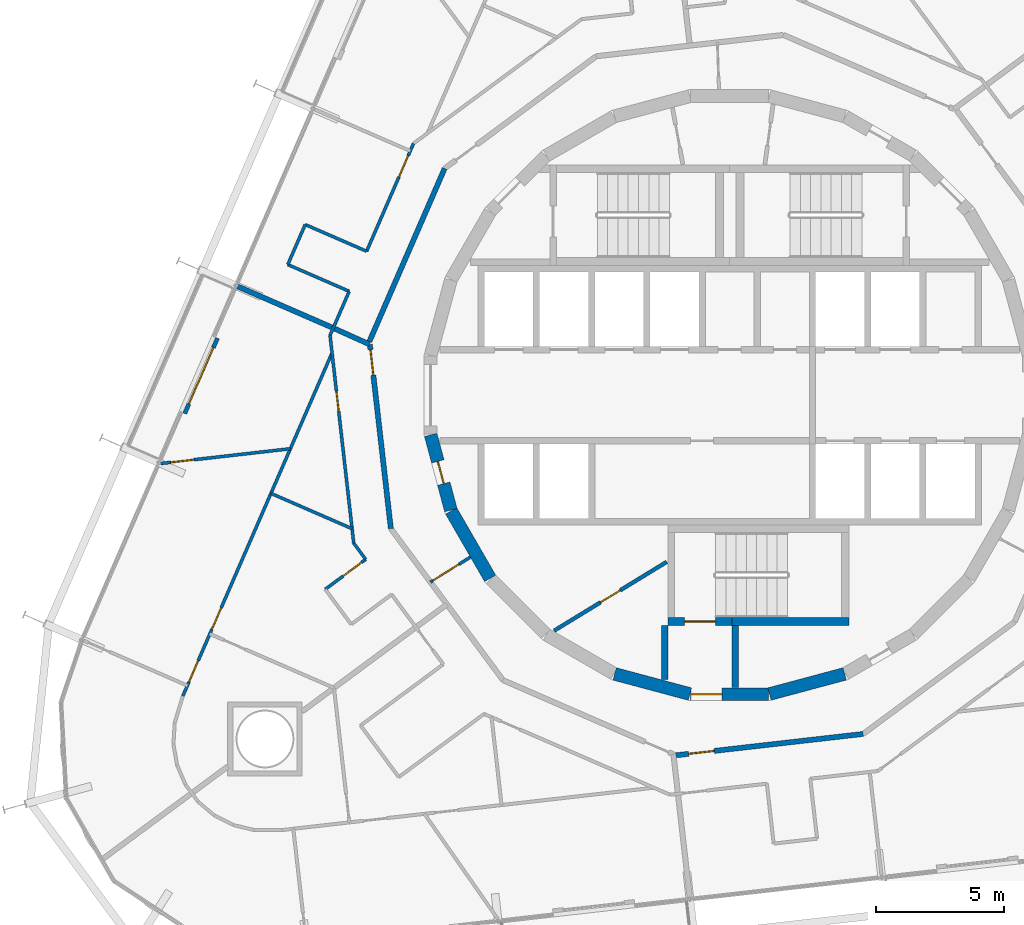
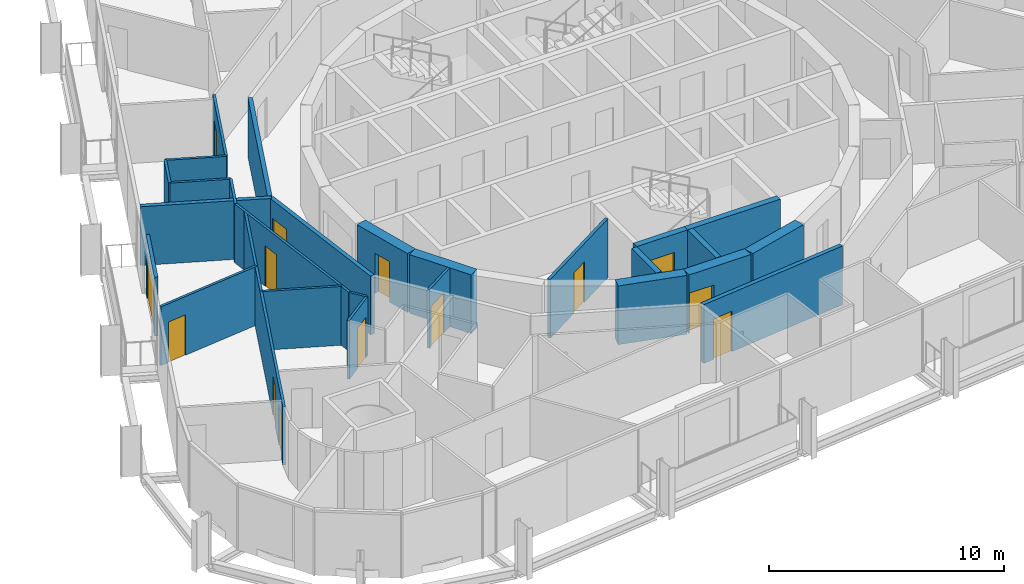
# One storey, part 17 of 23: 28 walls, 14 doors, 14 openings.
"""IFC4 building model written with IfcOpenShell, lengths in metres."""

from ifc_helpers import new_model, si_unit, direction, frame, frame_2d, origin, place, context, subcontext, project, spatial, rectangle, extrude, material, layer, layer_set, type_object, element, fill, save


model = new_model("IFC4")

# Units and contexts
model_context = context("Model", 3, precision=1e-05, world=origin(), true_north=direction((0.0, 1.0)))
body_context = subcontext(model_context, "Body", "Model", "MODEL_VIEW")
ifc_project = project(units=[si_unit("LENGTHUNIT", "METRE"), si_unit("AREAUNIT", "SQUARE_METRE"), si_unit("VOLUMEUNIT", "CUBIC_METRE"), si_unit("PLANEANGLEUNIT", "RADIAN"), si_unit("MASSUNIT", "GRAM", prefix="KILO")], contexts=[model_context])

# Site, building, storey
site_placement = place(None, origin())
site = spatial("IfcSite", under=ifc_project, at=site_placement, CompositionType="ELEMENT")
building_placement = place(site_placement, origin())
building = spatial("IfcBuilding", under=site, at=building_placement, Name="Spindle Arch Residences", CompositionType="ELEMENT")
storey_placement = place(building_placement, frame((0.0, 0.0, 104.699951171875)))
storey = spatial("IfcBuildingStorey", under=building, at=storey_placement, Name="L25", CompositionType="ELEMENT", Elevation=104.699951171875)

# Wall
ifc_material_1 = material(Name="Concrete C50/60", Category="concrete")
ifc_layer_1 = layer(ifc_material_1, 0.5)
ifc_layer_set_1 = layer_set([ifc_layer_1], Name="Core outline wall 500")
wall_type_1 = type_object("IfcWallType", Name="Core outline wall 500", PredefinedType="SHEAR", material=ifc_layer_set_1)
wall_1_placement = place(storey_placement, frame((1.5498046875, -11.642822265625, 0.0), z_axis=(0.0, 0.0, 1.0), x_axis=(0.965948410781, 0.258734743916, 0.0)))
element("IfcWall", 1, at=wall_1_placement, inside=storey, type_object=wall_type_1, Name="Core outline wall 1", PredefinedType="SHEAR", context=body_context, shape_type="SweptSolid", body=[
    extrude(rectangle(XDim=3.03271484375, YDim=0.5, at=frame_2d((1.516357421875, 0.0))), origin(), (0.0, 0.0, 1.0), 3.050048828125),
])

# Wall, opening, door
wall_2_placement = place(storey_placement, frame((-11.642822265625, -1.5498046875, 0.0), z_axis=(0.0, 0.0, 1.0), x_axis=(0.258734743916, -0.965948410781, 0.0)))
wall_2 = element("IfcWall", 2, at=wall_2_placement, inside=storey, type_object=wall_type_1, Name="Core outline wall 19", PredefinedType="SHEAR", context=body_context, shape_type="SweptSolid", body=[
    extrude(rectangle(XDim=3.03271484375, YDim=0.5, at=frame_2d((1.516357421875, 0.0))), origin(), (0.0, 0.0, 1.0), 3.050048828125),
])
opening_1_placement = place(wall_2_placement, frame((1.06640625, 0.0, 0.0)))
opening_1 = element("IfcOpeningElement", 3, at=opening_1_placement, cuts=wall_2, Name="Opening R2C0-WD09", PredefinedType="OPENING", context=body_context, shape_type="SweptSolid", body=[
    extrude(rectangle(XDim=0.89990234375, YDim=2.10009765625, at=frame_2d((0.449951171875, 1.050048828125))), frame((0.0, 0.260009765625, 0.0), z_axis=(0.0, -1.0, 0.0), x_axis=(1.0, 0.0, 0.0)), (0.0, 0.0, 1.0), 0.52001953125),
])
ifc_material_2 = material(Name="Steel, fire-resisting door", Category="steel")
door_type_1 = type_object("IfcDoorType", Name="Service room door 900x2100", OperationType="SINGLE_SWING_LEFT", PredefinedType="DOOR", material=ifc_material_2)
door_1_placement = place(opening_1_placement, origin())
door_1 = element("IfcDoor", 4, at=door_1_placement, inside=storey, type_object=door_type_1, Name="Service room door R2C0-WD09", OperationType="SINGLE_SWING_RIGHT", OverallHeight=2.10009765625, OverallWidth=0.89990234375, PredefinedType="DOOR", context=body_context, shape_type="SweptSolid", body=[
    extrude(rectangle(XDim=0.89990234375, YDim=2.10009765625, at=frame_2d((0.449951171875, 1.050048828125))), frame((0.0, 0.02490234375, 0.0), z_axis=(0.0, -1.0, 0.0), x_axis=(1.0, 0.0, 0.0)), (0.0, 0.0, 1.0), 0.050048828125),
])
fill(opening_1, door_1)

# Walls
for number, where, z_axis, x_axis, name in (
    (5, (-10.84521484375, -4.510498046875, 0.0), (0.0, 0.0, 1.0), (0.500087131594, -0.865975092491, 0.0), "Core outline wall 20"),
    (6, (-4.479248046875, -10.858154296875, 0.0), (0.0, 0.0, 1.0), (0.965948410781, -0.258734743916, 0.0), "Core outline wall 23"),
):
    element("IfcWall", number, at=place(storey_placement, frame(where, z_axis=z_axis, x_axis=x_axis)), inside=storey, type_object=wall_type_1, Name=name, PredefinedType="SHEAR", context=body_context, shape_type="SweptSolid", body=[
        extrude(rectangle(XDim=3.03271484375, YDim=0.5, at=frame_2d((1.516357421875, 0.0))), origin(), (0.0, 0.0, 1.0), 3.050048828125),
    ])

# Wall, opening, door
wall_3_placement = place(storey_placement, frame((-1.516357421875, -11.647216796875, 0.0), z_axis=(0.0, 0.0, 1.0), x_axis=(1.0, 0.0, 0.0)))
wall_3 = element("IfcWall", 7, at=wall_3_placement, inside=storey, type_object=wall_type_1, Name="Core outline wall 24", PredefinedType="SHEAR", context=body_context, shape_type="SweptSolid", body=[
    extrude(rectangle(XDim=3.03271484375, YDim=0.5, at=frame_2d((1.516357421875, 0.0))), origin(), (0.0, 0.0, 1.0), 3.050048828125),
])
opening_2_placement = place(wall_3_placement, frame((0.016357421875, 0.0, 0.0)))
opening_2 = element("IfcOpeningElement", 8, at=opening_2_placement, cuts=wall_3, Name="Opening R2C0-AD03", PredefinedType="OPENING", context=body_context, shape_type="SweptSolid", body=[
    extrude(rectangle(XDim=1.199951171875, YDim=2.10009765625, at=frame_2d((0.60009765625, 1.050048828125))), frame((0.0, 0.260009765625, 0.0), z_axis=(0.0, -1.0, 0.0), x_axis=(1.0, 0.0, 0.0)), (0.0, 0.0, 1.0), 0.52001953125),
])
ifc_material_3 = material(Name="Steel, fire-resisting door", Category="steel")
door_type_2 = type_object("IfcDoorType", Name="Stair airlock door 1200x2100", OperationType="SINGLE_SWING_LEFT", PredefinedType="DOOR", material=ifc_material_3)
door_2_placement = place(opening_2_placement, origin())
door_2 = element("IfcDoor", 9, at=door_2_placement, inside=storey, type_object=door_type_2, Name="Stair airlock door R2C0-AD03", OperationType="SINGLE_SWING_RIGHT", OverallHeight=2.10009765625, OverallWidth=1.199951171875, PredefinedType="DOOR", context=body_context, shape_type="SweptSolid", body=[
    extrude(rectangle(XDim=1.199951171875, YDim=2.10009765625, at=frame_2d((0.60009765625, 1.050048828125))), frame((0.0, 0.02490234375, 0.0), z_axis=(0.0, -1.0, 0.0), x_axis=(1.0, 0.0, 0.0)), (0.0, 0.0, 1.0), 0.050048828125),
])
fill(opening_2, door_2)

ifc_material_4 = material(Name="Plasterboard on steel studs", Category="steel")
ifc_layer_2 = layer(ifc_material_4, 0.1201171875)
ifc_layer_set_2 = layer_set([ifc_layer_2], Name="Corridor division wall 120")
wall_type_2 = type_object("IfcWallType", Name="Corridor division wall 120", PredefinedType="PARTITIONING", material=ifc_layer_set_2)
wall_4_placement = place(storey_placement, frame((-11.654296875, -7.2822265625, 0.0), z_axis=(0.0, 0.0, 1.0), x_axis=(0.848117698675, 0.529807860638, 0.0)))
wall_4 = element("IfcWall", 10, at=wall_4_placement, inside=storey, type_object=wall_type_2, Name="Corridor division wall R2C0-W003", PredefinedType="PARTITIONING", context=body_context, shape_type="SweptSolid", body=[
    extrude(rectangle(XDim=1.837646484375, YDim=0.1201171875, at=frame_2d((0.9189453125, 0.0))), origin(), (0.0, 0.0, 1.0), 3.050048828125),
])
opening_3_placement = place(wall_4_placement, frame((0.114990234375, 0.0, 0.0)))
opening_3 = element("IfcOpeningElement", 11, at=opening_3_placement, cuts=wall_4, Name="Opening R2C0-CD03", PredefinedType="OPENING", context=body_context, shape_type="SweptSolid", body=[
    extrude(rectangle(XDim=1.199951171875, YDim=2.10009765625, at=frame_2d((0.60009765625, 1.050048828125))), frame((0.0, 0.070068359375, 0.0), z_axis=(0.0, -1.0, 0.0), x_axis=(1.0, 0.0, 0.0)), (0.0, 0.0, 1.0), 0.14013671875),
])
ifc_material_5 = material(Name="Steel, fire-resisting door", Category="steel")
door_type_3 = type_object("IfcDoorType", Name="Corridor division door 1200x2100", OperationType="NOTDEFINED", PredefinedType="DOOR", material=ifc_material_5)
door_3_placement = place(opening_3_placement, origin())
door_3 = element("IfcDoor", 12, at=door_3_placement, inside=storey, type_object=door_type_3, Name="Corridor division door R2C0-CD03", OperationType="DOUBLE_DOOR_SINGLE_SWING", OverallHeight=2.10009765625, OverallWidth=1.199951171875, PredefinedType="DOOR", context=body_context, shape_type="SweptSolid", body=[
    extrude(rectangle(XDim=1.199951171875, YDim=2.10009765625, at=frame_2d((0.60009765625, 1.050048828125))), frame((0.0, 0.02490234375, 0.0), z_axis=(0.0, -1.0, 0.0), x_axis=(1.0, 0.0, 0.0)), (0.0, 0.0, 1.0), 0.050048828125),
])
fill(opening_3, door_3)

# Wall
ifc_material_6 = material(Name="Calcium silicate block, plastered")
ifc_layer_3 = layer(ifc_material_6, 0.199951171875)
ifc_layer_set_3 = layer_set([ifc_layer_3], Name="Corridor wall 200")
wall_type_3 = type_object("IfcWallType", Name="Corridor wall 200", PredefinedType="STANDARD", material=ifc_layer_set_3)
wall_5_placement = place(storey_placement, frame((-11.10009765625, 8.829345703125, 0.0), z_axis=(0.0, 0.0, 1.0), x_axis=(-0.398741918631, -0.917063183388, 0.0)))
element("IfcWall", 13, at=wall_5_placement, inside=storey, type_object=wall_type_3, Name="Corridor wall R2C0-W010", PredefinedType="STANDARD", context=body_context, shape_type="SweptSolid", body=[
    extrude(rectangle(XDim=7.341796875, YDim=0.199951171875, at=frame_2d((3.6708984375, 0.0))), origin(), (0.0, 0.0, 1.0), 3.050048828125),
])

# Wall, opening, door
wall_6_placement = place(storey_placement, frame((-14.013427734375, 1.97412109375, 0.0), z_axis=(0.0, 0.0, 1.0), x_axis=(0.113196526349, -0.993572617589, 0.0)))
wall_6 = element("IfcWall", 14, at=wall_6_placement, inside=storey, type_object=wall_type_3, Name="Corridor wall R2C0-W011", PredefinedType="STANDARD", context=body_context, shape_type="SweptSolid", body=[
    extrude(rectangle(XDim=7.21875, YDim=0.199951171875, at=frame_2d((3.609375, 0.0))), origin(), (0.0, 0.0, 1.0), 3.050048828125),
])
opening_4_placement = place(wall_6_placement, frame((0.199951171875, 0.0, 0.0)))
opening_4 = element("IfcOpeningElement", 15, at=opening_4_placement, cuts=wall_6, Name="Opening R2C0-FD04", PredefinedType="OPENING", context=body_context, shape_type="SweptSolid", body=[
    extrude(rectangle(XDim=1.0, YDim=2.10009765625, at=frame_2d((0.5, 1.050048828125))), frame((0.0, 0.10986328125, 0.0), z_axis=(0.0, -1.0, 0.0), x_axis=(1.0, 0.0, 0.0)), (0.0, 0.0, 1.0), 0.219970703125),
])
ifc_material_7 = material(Name="Timber, fire-resisting door set", Category="wood")
door_type_4 = type_object("IfcDoorType", Name="Flat entrance door 1000x2100", OperationType="NOTDEFINED", PredefinedType="DOOR", material=ifc_material_7)
door_4_placement = place(opening_4_placement, origin())
door_4 = element("IfcDoor", 16, at=door_4_placement, inside=storey, type_object=door_type_4, Name="Flat entrance door R2C0-FD04", OperationType="SINGLE_SWING_RIGHT", OverallHeight=2.10009765625, OverallWidth=1.0, PredefinedType="DOOR", context=body_context, shape_type="SweptSolid", body=[
    extrude(rectangle(XDim=1.0, YDim=2.10009765625, at=frame_2d((0.5, 1.050048828125))), frame((0.0, 0.02490234375, 0.0), z_axis=(0.0, -1.0, 0.0), x_axis=(1.0, 0.0, 0.0)), (0.0, 0.0, 1.0), 0.050048828125),
])
fill(opening_4, door_4)

wall_7_placement = place(storey_placement, frame((-2.096435546875, -14.027587890625, 0.0), z_axis=(0.0, 0.0, 1.0), x_axis=(0.993569170114, 0.113226782163, 0.0)))
wall_7 = element("IfcWall", 17, at=wall_7_placement, inside=storey, type_object=wall_type_3, Name="Corridor wall R2C0-W014", PredefinedType="STANDARD", context=body_context, shape_type="SweptSolid", body=[
    extrude(rectangle(XDim=7.341796875, YDim=0.199951171875, at=frame_2d((3.6708984375, 0.0))), origin(), (0.0, 0.0, 1.0), 3.050048828125),
])
opening_5_placement = place(wall_7_placement, frame((0.5, 0.0, 0.0)))
opening_5 = element("IfcOpeningElement", 18, at=opening_5_placement, cuts=wall_7, Name="Opening R2C0-FD06", PredefinedType="OPENING", context=body_context, shape_type="SweptSolid", body=[
    extrude(rectangle(XDim=1.0, YDim=2.10009765625, at=frame_2d((0.5, 1.050048828125))), frame((0.0, 0.10986328125, 0.0), z_axis=(0.0, -1.0, 0.0), x_axis=(1.0, 0.0, 0.0)), (0.0, 0.0, 1.0), 0.219970703125),
])
door_5_placement = place(opening_5_placement, origin())
door_5 = element("IfcDoor", 19, at=door_5_placement, inside=storey, type_object=door_type_4, Name="Flat entrance door R2C0-FD06", OperationType="SINGLE_SWING_LEFT", OverallHeight=2.10009765625, OverallWidth=1.0, PredefinedType="DOOR", context=body_context, shape_type="SweptSolid", body=[
    extrude(rectangle(XDim=1.0, YDim=2.10009765625, at=frame_2d((0.5, 1.050048828125))), frame((0.0, 0.02490234375, 0.0), z_axis=(0.0, -1.0, 0.0), x_axis=(1.0, 0.0, 0.0)), (0.0, 0.0, 1.0), 0.050048828125),
])
fill(opening_5, door_5)

ifc_material_8 = material(Name="Plasterboard on steel studs", Category="steel")
ifc_layer_4 = layer(ifc_material_8, 0.1201171875)
ifc_layer_set_4 = layer_set([ifc_layer_4], Name="Flat partition 120")
wall_type_4 = type_object("IfcWallType", Name="Flat partition 120", PredefinedType="PARTITIONING", material=ifc_layer_set_4)
wall_8_placement = place(storey_placement, frame((-12.315185546875, 9.7958984375, 0.0), z_axis=(0.0, 0.0, 1.0), x_axis=(-0.398765150511, -0.917053081745, 0.0)))
wall_8 = element("IfcWall", 20, at=wall_8_placement, inside=storey, type_object=wall_type_4, Name="Flat partition R2C0-W070", PredefinedType="PARTITIONING", context=body_context, shape_type="SweptSolid", body=[
    extrude(rectangle(XDim=4.573486328125, YDim=0.1201171875, at=frame_2d((2.28662109375, 0.0))), origin(), (0.0, 0.0, 1.0), 3.050048828125),
])
opening_6_placement = place(wall_8_placement, frame((0.513427734375, 0.0, 0.0)))
opening_6 = element("IfcOpeningElement", 21, at=opening_6_placement, cuts=wall_8, Name="Opening R2C0-ID17", PredefinedType="OPENING", context=body_context, shape_type="SweptSolid", body=[
    extrude(rectangle(XDim=0.89990234375, YDim=2.10009765625, at=frame_2d((0.449951171875, 1.050048828125))), frame((0.0, 0.070068359375, 0.0), z_axis=(0.0, -1.0, 0.0), x_axis=(1.0, 0.0, 0.0)), (0.0, 0.0, 1.0), 0.14013671875),
])
ifc_material_9 = material(Name="Timber door set", Category="wood")
door_type_5 = type_object("IfcDoorType", Name="Room door 900x2100", OperationType="NOTDEFINED", PredefinedType="DOOR", material=ifc_material_9)
door_6_placement = place(opening_6_placement, origin())
door_6 = element("IfcDoor", 22, at=door_6_placement, inside=storey, type_object=door_type_5, Name="Room door R2C0-ID17", OperationType="SINGLE_SWING_LEFT", OverallHeight=2.10009765625, OverallWidth=0.89990234375, PredefinedType="DOOR", context=body_context, shape_type="SweptSolid", body=[
    extrude(rectangle(XDim=0.89990234375, YDim=2.10009765625, at=frame_2d((0.449951171875, 1.050048828125))), frame((0.0, 0.02490234375, 0.0), z_axis=(0.0, -1.0, 0.0), x_axis=(1.0, 0.0, 0.0)), (0.0, 0.0, 1.0), 0.050048828125),
])
fill(opening_6, door_6)

# Walls
wall_9_placement = place(storey_placement, frame((-14.138916015625, 5.601806640625, 0.0), z_axis=(0.0, 0.0, 1.0), x_axis=(-0.91706559301, 0.398736376716, 0.0)))
element("IfcWall", 23, at=wall_9_placement, inside=storey, type_object=wall_type_4, Name="Flat partition R2C0-W071", PredefinedType="PARTITIONING", context=body_context, shape_type="SweptSolid", body=[
    extrude(rectangle(XDim=2.60888671875, YDim=0.1201171875, at=frame_2d((1.304443359375, 0.0))), origin(), (0.0, 0.0, 1.0), 3.050048828125),
])
wall_10_placement = place(storey_placement, frame((-16.531494140625, 6.64208984375, 0.0), z_axis=(0.0, 0.0, 1.0), x_axis=(-0.398783871208, -0.917044941137, 0.0)))
element("IfcWall", 24, at=wall_10_placement, inside=storey, type_object=wall_type_4, Name="Flat partition R2C0-W072", PredefinedType="PARTITIONING", context=body_context, shape_type="SweptSolid", body=[
    extrude(rectangle(XDim=1.7001953125, YDim=0.1201171875, at=frame_2d((0.85009765625, 0.0))), origin(), (0.0, 0.0, 1.0), 3.050048828125),
])
wall_11_placement = place(storey_placement, frame((-17.20947265625, 5.0830078125, 0.0), z_axis=(0.0, 0.0, 1.0), x_axis=(0.91706559301, -0.398736376716, 0.0)))
element("IfcWall", 25, at=wall_11_placement, inside=storey, type_object=wall_type_4, Name="Flat partition R2C0-W073", PredefinedType="PARTITIONING", context=body_context, shape_type="SweptSolid", body=[
    extrude(rectangle(XDim=2.60888671875, YDim=0.1201171875, at=frame_2d((1.304443359375, 0.0))), origin(), (0.0, 0.0, 1.0), 3.050048828125),
])
wall_12_placement = place(storey_placement, frame((-14.81689453125, 4.042724609375, 0.0), z_axis=(0.0, 0.0, 1.0), x_axis=(-0.398683191722, -0.917088715795, 0.0)))
element("IfcWall", 26, at=wall_12_placement, inside=storey, type_object=wall_type_4, Name="Flat partition R2C0-W074", PredefinedType="PARTITIONING", context=body_context, shape_type="SweptSolid", body=[
    extrude(rectangle(XDim=1.8720703125, YDim=0.1201171875, at=frame_2d((0.93603515625, 0.0))), origin(), (0.0, 0.0, 1.0), 3.050048828125),
])

# Wall, opening, door
wall_13_placement = place(storey_placement, frame((-15.563232421875, 2.325927734375, 0.0), z_axis=(0.0, 0.0, 1.0), x_axis=(0.11320423706, -0.993571739087, 0.0)))
wall_13 = element("IfcWall", 27, at=wall_13_placement, inside=storey, type_object=wall_type_4, Name="Flat partition R2C0-W083", PredefinedType="PARTITIONING", context=body_context, shape_type="SweptSolid", body=[
    extrude(rectangle(XDim=8.1455078125, YDim=0.1201171875, at=frame_2d((4.07275390625, 0.0))), origin(), (0.0, 0.0, 1.0), 3.050048828125),
])
opening_7_placement = place(wall_13_placement, frame((2.18505859375, 0.0, 0.0)))
opening_7 = element("IfcOpeningElement", 28, at=opening_7_placement, cuts=wall_13, Name="Opening R2C0-BD04", PredefinedType="OPENING", context=body_context, shape_type="SweptSolid", body=[
    extrude(rectangle(XDim=0.800048828125, YDim=2.10009765625, at=frame_2d((0.39990234375, 1.050048828125))), frame((0.0, 0.070068359375, 0.0), z_axis=(0.0, -1.0, 0.0), x_axis=(1.0, 0.0, 0.0)), (0.0, 0.0, 1.0), 0.14013671875),
])
ifc_material_10 = material(Name="Timber door set", Category="wood")
door_type_6 = type_object("IfcDoorType", Name="Bathroom door 800x2100", OperationType="NOTDEFINED", PredefinedType="DOOR", material=ifc_material_10)
door_7_placement = place(opening_7_placement, origin())
door_7 = element("IfcDoor", 29, at=door_7_placement, inside=storey, type_object=door_type_6, Name="Bathroom door R2C0-BD04", OperationType="SINGLE_SWING_RIGHT", OverallHeight=2.10009765625, OverallWidth=0.800048828125, PredefinedType="DOOR", context=body_context, shape_type="SweptSolid", body=[
    extrude(rectangle(XDim=0.800048828125, YDim=2.10009765625, at=frame_2d((0.39990234375, 1.050048828125))), frame((0.0, 0.02490234375, 0.0), z_axis=(0.0, -1.0, 0.0), x_axis=(1.0, 0.0, 0.0)), (0.0, 0.0, 1.0), 0.050048828125),
])
fill(opening_7, door_7)

# Wall
wall_14_placement = place(storey_placement, frame((-14.64111328125, -5.767333984375, 0.0), z_axis=(0.0, 0.0, 1.0), x_axis=(0.594601337861, -0.804020676982, 0.0)))
element("IfcWall", 30, at=wall_14_placement, inside=storey, type_object=wall_type_4, Name="Flat partition R2C0-W084", PredefinedType="PARTITIONING", context=body_context, shape_type="SweptSolid", body=[
    extrude(rectangle(XDim=0.783447265625, YDim=0.1201171875, at=frame_2d((0.3916015625, 0.0))), origin(), (0.0, 0.0, 1.0), 3.050048828125),
])

# Wall, opening, door
wall_15_placement = place(storey_placement, frame((-14.17529296875, -6.397216796875, 0.0), z_axis=(0.0, 0.0, 1.0), x_axis=(-0.803901491033, -0.594762467474, 0.0)))
wall_15 = element("IfcWall", 31, at=wall_15_placement, inside=storey, type_object=wall_type_4, Name="Flat partition R2C0-W085", PredefinedType="PARTITIONING", context=body_context, shape_type="SweptSolid", body=[
    extrude(rectangle(XDim=1.958740234375, YDim=0.1201171875, at=frame_2d((0.9794921875, 0.0))), origin(), (0.0, 0.0, 1.0), 3.050048828125),
])
opening_8_placement = place(wall_15_placement, frame((0.199951171875, 0.0, 0.0)))
opening_8 = element("IfcOpeningElement", 32, at=opening_8_placement, cuts=wall_15, Name="Opening R2C0-ID21", PredefinedType="OPENING", context=body_context, shape_type="SweptSolid", body=[
    extrude(rectangle(XDim=0.89990234375, YDim=2.10009765625, at=frame_2d((0.449951171875, 1.050048828125))), frame((0.0, 0.070068359375, 0.0), z_axis=(0.0, -1.0, 0.0), x_axis=(1.0, 0.0, 0.0)), (0.0, 0.0, 1.0), 0.14013671875),
])
door_8_placement = place(opening_8_placement, origin())
door_8 = element("IfcDoor", 33, at=door_8_placement, inside=storey, type_object=door_type_5, Name="Room door R2C0-ID21", OperationType="SINGLE_SWING_RIGHT", OverallHeight=2.10009765625, OverallWidth=0.89990234375, PredefinedType="DOOR", context=body_context, shape_type="SweptSolid", body=[
    extrude(rectangle(XDim=0.89990234375, YDim=2.10009765625, at=frame_2d((0.449951171875, 1.050048828125))), frame((0.0, 0.02490234375, 0.0), z_axis=(0.0, -1.0, 0.0), x_axis=(1.0, 0.0, 0.0)), (0.0, 0.0, 1.0), 0.050048828125),
])
fill(opening_8, door_8)

# Wall, openings, doors
wall_16_placement = place(storey_placement, frame((-21.298095703125, -11.72216796875, 0.0), z_axis=(0.0, 0.0, 1.0), x_axis=(0.398738972546, 0.91706446435, 0.0)))
wall_16 = element("IfcWall", 34, at=wall_16_placement, inside=storey, type_object=wall_type_4, Name="Flat partition R2C0-W089", PredefinedType="PARTITIONING", context=body_context, shape_type="SweptSolid", body=[
    extrude(rectangle(XDim=14.57666015625, YDim=0.1201171875, at=frame_2d((7.288330078125, 0.0))), origin(), (0.0, 0.0, 1.0), 3.050048828125),
])
opening_9_placement = place(wall_16_placement, frame((2.8408203125, 0.0, 0.0)))
opening_9 = element("IfcOpeningElement", 35, at=opening_9_placement, cuts=wall_16, Name="Opening R2C0-ID22", PredefinedType="OPENING", context=body_context, shape_type="SweptSolid", body=[
    extrude(rectangle(XDim=0.89990234375, YDim=2.10009765625, at=frame_2d((0.449951171875, 1.050048828125))), frame((0.0, 0.070068359375, 0.0), z_axis=(0.0, -1.0, 0.0), x_axis=(1.0, 0.0, 0.0)), (0.0, 0.0, 1.0), 0.14013671875),
])
opening_10_placement = place(wall_16_placement, frame((0.60546875, 0.0, 0.0)))
opening_10 = element("IfcOpeningElement", 36, at=opening_10_placement, cuts=wall_16, Name="Opening R2C0-ID26", PredefinedType="OPENING", context=body_context, shape_type="SweptSolid", body=[
    extrude(rectangle(XDim=0.89990234375, YDim=2.10009765625, at=frame_2d((0.449951171875, 1.050048828125))), frame((0.0, 0.070068359375, 0.0), z_axis=(0.0, -1.0, 0.0), x_axis=(1.0, 0.0, 0.0)), (0.0, 0.0, 1.0), 0.14013671875),
])
door_9_placement = place(opening_9_placement, origin())
door_9 = element("IfcDoor", 37, at=door_9_placement, inside=storey, type_object=door_type_5, Name="Room door R2C0-ID22", OperationType="SINGLE_SWING_RIGHT", OverallHeight=2.10009765625, OverallWidth=0.89990234375, PredefinedType="DOOR", context=body_context, shape_type="SweptSolid", body=[
    extrude(rectangle(XDim=0.89990234375, YDim=2.10009765625, at=frame_2d((0.449951171875, 1.050048828125))), frame((0.0, 0.02490234375, 0.0), z_axis=(0.0, -1.0, 0.0), x_axis=(1.0, 0.0, 0.0)), (0.0, 0.0, 1.0), 0.050048828125),
])
fill(opening_9, door_9)
door_10_placement = place(opening_10_placement, origin())
door_10 = element("IfcDoor", 38, at=door_10_placement, inside=storey, type_object=door_type_5, Name="Room door R2C0-ID26", OperationType="SINGLE_SWING_LEFT", OverallHeight=2.10009765625, OverallWidth=0.89990234375, PredefinedType="DOOR", context=body_context, shape_type="SweptSolid", body=[
    extrude(rectangle(XDim=0.89990234375, YDim=2.10009765625, at=frame_2d((0.449951171875, 1.050048828125))), frame((0.0, 0.02490234375, 0.0), z_axis=(0.0, -1.0, 0.0), x_axis=(1.0, 0.0, 0.0)), (0.0, 0.0, 1.0), 0.050048828125),
])
fill(opening_10, door_10)

# Wall, opening, door
wall_17_placement = place(storey_placement, frame((-22.157470703125, -2.663818359375, 0.0), z_axis=(0.0, 0.0, 1.0), x_axis=(0.993571026426, 0.113210491767, 0.0)))
wall_17 = element("IfcWall", 39, at=wall_17_placement, inside=storey, type_object=wall_type_4, Name="Flat partition R2C0-W090", PredefinedType="PARTITIONING", context=body_context, shape_type="SweptSolid", body=[
    extrude(rectangle(XDim=5.080810546875, YDim=0.1201171875, at=frame_2d((2.54052734375, 0.0))), origin(), (0.0, 0.0, 1.0), 3.050048828125),
])
opening_11_placement = place(wall_17_placement, frame((0.39990234375, 0.0, 0.0)))
opening_11 = element("IfcOpeningElement", 40, at=opening_11_placement, cuts=wall_17, Name="Opening R2C0-ID24", PredefinedType="OPENING", context=body_context, shape_type="SweptSolid", body=[
    extrude(rectangle(XDim=0.89990234375, YDim=2.10009765625, at=frame_2d((0.449951171875, 1.050048828125))), frame((0.0, 0.070068359375, 0.0), z_axis=(0.0, -1.0, 0.0), x_axis=(1.0, 0.0, 0.0)), (0.0, 0.0, 1.0), 0.14013671875),
])
door_11_placement = place(opening_11_placement, origin())
door_11 = element("IfcDoor", 41, at=door_11_placement, inside=storey, type_object=door_type_5, Name="Room door R2C0-ID24", OperationType="SINGLE_SWING_LEFT", OverallHeight=2.10009765625, OverallWidth=0.89990234375, PredefinedType="DOOR", context=body_context, shape_type="SweptSolid", body=[
    extrude(rectangle(XDim=0.89990234375, YDim=2.10009765625, at=frame_2d((0.449951171875, 1.050048828125))), frame((0.0, 0.02490234375, 0.0), z_axis=(0.0, -1.0, 0.0), x_axis=(1.0, 0.0, 0.0)), (0.0, 0.0, 1.0), 0.050048828125),
])
fill(opening_11, door_11)

# Walls
wall_18_placement = place(storey_placement, frame((-17.865478515625, -3.827392578125, 0.0), z_axis=(0.0, 0.0, 1.0), x_axis=(0.917043017742, -0.398788294224, 0.0)))
element("IfcWall", 42, at=wall_18_placement, inside=storey, type_object=wall_type_4, Name="Flat partition R2C0-W091", PredefinedType="PARTITIONING", context=body_context, shape_type="SweptSolid", body=[
    extrude(rectangle(XDim=3.445556640625, YDim=0.1201171875, at=frame_2d((1.72265625, 0.0))), origin(), (0.0, 0.0, 1.0), 3.050048828125),
])
ifc_material_11 = material(Name="Calcium silicate block, plastered")
ifc_layer_5 = layer(ifc_material_11, 0.199951171875)
ifc_layer_set_5 = layer_set([ifc_layer_5], Name="Flat party wall 200")
wall_type_5 = type_object("IfcWallType", Name="Flat party wall 200", PredefinedType="STANDARD", material=ifc_layer_set_5)
wall_19_placement = place(storey_placement, frame((-15.47509765625, 2.62939453125, 0.0), z_axis=(0.0, 0.0, 1.0), x_axis=(0.911720699372, -0.410810621011, 0.0)))
element("IfcWall", 43, at=wall_19_placement, inside=storey, type_object=wall_type_5, Name="Flat party wall R2C0-W024", PredefinedType="STANDARD", context=body_context, shape_type="SweptSolid", body=[
    extrude(rectangle(XDim=1.59326171875, YDim=0.199951171875, at=frame_2d((0.796630859375, 0.0))), origin(), (0.0, 0.0, 1.0), 3.050048828125),
])
wall_20_placement = place(storey_placement, frame((-19.1591796875, 4.231201171875, 0.0), z_axis=(0.0, 0.0, 1.0), x_axis=(0.917067157668, -0.398732778095, 0.0)))
element("IfcWall", 44, at=wall_20_placement, inside=storey, type_object=wall_type_5, Name="Flat party wall R2C0-W025", PredefinedType="STANDARD", context=body_context, shape_type="SweptSolid", body=[
    extrude(rectangle(XDim=4.017333984375, YDim=0.199951171875, at=frame_2d((2.0087890625, 0.0))), origin(), (0.0, 0.0, 1.0), 3.050048828125),
])

# Wall, opening, door
ifc_material_12 = material(Name="Non-combustible mineral wool insulated aluminium faced external wall (K0)", Category="aluminium")
ifc_layer_6 = layer(ifc_material_12, 0.159912109375)
ifc_layer_set_6 = layer_set([ifc_layer_6], Name="Insulated external wall panel 160")
wall_type_6 = type_object("IfcWallType", Name="Insulated external wall panel 160", PredefinedType="STANDARD", material=ifc_layer_set_6)
wall_21_placement = place(storey_placement, frame((-19.947021484375, 2.218994140625, 0.0), z_axis=(0.0, 0.0, 1.0), x_axis=(-0.398784695066, -0.917044582876, 0.0)))
wall_21 = element("IfcWall", 45, at=wall_21_placement, inside=storey, type_object=wall_type_6, Name="External wall L25 bay 17", PredefinedType="STANDARD", context=body_context, shape_type="SweptSolid", body=[
    extrude(rectangle(XDim=3.199951171875, YDim=0.159912109375, at=frame_2d((1.60009765625, 0.0))), origin(), (0.0, 0.0, 1.0), 3.050048828125),
])
opening_12_placement = place(wall_21_placement, frame((0.39990234375, 0.0, 0.0)))
opening_12 = element("IfcOpeningElement", 46, at=opening_12_placement, cuts=wall_21, Name="Opening BD17", PredefinedType="OPENING", context=body_context, shape_type="SweptSolid", body=[
    extrude(rectangle(XDim=2.39990234375, YDim=2.39990234375, at=frame_2d((1.199951171875, 1.199951171875))), frame((0.0, 0.08984375, 0.0), z_axis=(0.0, -1.0, 0.0), x_axis=(1.0, 0.0, 0.0)), (0.0, 0.0, 1.0), 0.179931640625),
])
ifc_material_13 = material(Name="Bronze aluminium frame, tinted double glazing", Category="aluminium")
door_type_7 = type_object("IfcDoorType", Name="Sliding glazed balcony door 2400x2400", OperationType="DOUBLE_DOOR_SLIDING", PredefinedType="DOOR", material=ifc_material_13)
door_12_placement = place(opening_12_placement, origin())
door_12 = element("IfcDoor", 47, at=door_12_placement, inside=storey, type_object=door_type_7, Name="Balcony door BD17", OperationType="DOUBLE_DOOR_SLIDING", OverallHeight=2.39990234375, OverallWidth=2.39990234375, PredefinedType="DOOR", context=body_context, shape_type="SweptSolid", body=[
    extrude(rectangle(XDim=2.39990234375, YDim=2.39990234375, at=frame_2d((1.199951171875, 1.199951171875))), frame((0.0, 0.02490234375, 0.0), z_axis=(0.0, -1.0, 0.0), x_axis=(1.0, 0.0, 0.0)), (0.0, 0.0, 1.0), 0.050048828125),
])
fill(opening_12, door_12)

ifc_material_14 = material(Name="Concrete C25/30", Category="concrete")
ifc_layer_7 = layer(ifc_material_14, 0.14990234375)
ifc_layer_set_7 = layer_set([ifc_layer_7], Name="Service room partition 150")
wall_type_7 = type_object("IfcWallType", Name="Service room partition 150", PredefinedType="PARTITIONING", material=ifc_layer_set_7)
wall_22_placement = place(storey_placement, frame((-2.451171875, -6.49462890625, 0.0), z_axis=(0.0, 0.0, 1.0), x_axis=(-0.853250115418, -0.521501908471, 0.0)))
wall_22 = element("IfcWall", 48, at=wall_22_placement, inside=storey, type_object=wall_type_7, Name="Core service room partition", PredefinedType="PARTITIONING", context=body_context, shape_type="SweptSolid", body=[
    extrude(rectangle(XDim=5.137451171875, YDim=0.14990234375, at=frame_2d((2.56884765625, 0.0))), origin(), (0.0, 0.0, 1.0), 3.050048828125),
])
opening_13_placement = place(wall_22_placement, frame((2.11865234375, 0.0, 0.0)))
opening_13 = element("IfcOpeningElement", 49, at=opening_13_placement, cuts=wall_22, Name="Opening R2C0-WD05", PredefinedType="OPENING", context=body_context, shape_type="SweptSolid", body=[
    extrude(rectangle(XDim=0.89990234375, YDim=2.10009765625, at=frame_2d((0.449951171875, 1.050048828125))), frame((0.0, 0.0849609375, 0.0), z_axis=(0.0, -1.0, 0.0), x_axis=(1.0, 0.0, 0.0)), (0.0, 0.0, 1.0), 0.169921875),
])
door_13_placement = place(opening_13_placement, origin())
door_13 = element("IfcDoor", 50, at=door_13_placement, inside=storey, type_object=door_type_1, Name="Service room door R2C0-WD05", OperationType="SINGLE_SWING_RIGHT", OverallHeight=2.10009765625, OverallWidth=0.89990234375, PredefinedType="DOOR", context=body_context, shape_type="SweptSolid", body=[
    extrude(rectangle(XDim=0.89990234375, YDim=2.10009765625, at=frame_2d((0.449951171875, 1.050048828125))), frame((0.0, 0.02490234375, 0.0), z_axis=(0.0, -1.0, 0.0), x_axis=(1.0, 0.0, 0.0)), (0.0, 0.0, 1.0), 0.050048828125),
])
fill(opening_13, door_13)

# Walls
ifc_material_15 = material(Name="Concrete C40/50", Category="concrete")
ifc_layer_8 = layer(ifc_material_15, 0.25)
ifc_layer_set_8 = layer_set([ifc_layer_8], Name="Stair airlock wall 250")
wall_type_8 = type_object("IfcWallType", Name="Stair airlock wall 250", PredefinedType="SHEAR", material=ifc_layer_set_8)
wall_23_placement = place(storey_placement, frame((-2.52490234375, -8.969970703125, 0.0), z_axis=(0.0, 0.0, 1.0), x_axis=(0.0, -1.0, 0.0)))
element("IfcWall", 51, at=wall_23_placement, inside=storey, type_object=wall_type_8, Name="Stair ST-3 airlock wall W", PredefinedType="SHEAR", context=body_context, shape_type="SweptSolid", body=[
    extrude(rectangle(XDim=2.110107421875, YDim=0.25, at=frame_2d((1.05517578125, 0.0))), origin(), (0.0, 0.0, 1.0), 3.050048828125),
])
wall_24_placement = place(storey_placement, frame((0.22509765625, -8.969970703125, 0.0), z_axis=(0.0, 0.0, 1.0), x_axis=(0.0, -1.0, 0.0)))
element("IfcWall", 52, at=wall_24_placement, inside=storey, type_object=wall_type_8, Name="Stair ST-3 airlock wall E", PredefinedType="SHEAR", context=body_context, shape_type="SweptSolid", body=[
    extrude(rectangle(XDim=2.409912109375, YDim=0.25, at=frame_2d((1.205078125, 0.0))), origin(), (0.0, 0.0, 1.0), 3.050048828125),
])
ifc_material_16 = material(Name="Concrete C50/60", Category="concrete")
ifc_layer_9 = layer(ifc_material_16, 0.300048828125)
ifc_layer_set_9 = layer_set([ifc_layer_9], Name="Stair enclosure wall 300")
wall_type_9 = type_object("IfcWallType", Name="Stair enclosure wall 300", PredefinedType="SHEAR", material=ifc_layer_set_9)
wall_25_placement = place(storey_placement, frame((0.10009765625, -8.820068359375, 0.0), z_axis=(0.0, 0.0, 1.0), x_axis=(1.0, 0.0, 0.0)))
element("IfcWall", 53, at=wall_25_placement, inside=storey, type_object=wall_type_9, Name="Stair ST-3 enclosure wall S", PredefinedType="SHEAR", context=body_context, shape_type="SweptSolid", body=[
    extrude(rectangle(XDim=4.5498046875, YDim=0.300048828125, at=frame_2d((2.27490234375, 0.0))), origin(), (0.0, 0.0, 1.0), 3.050048828125),
])

# Wall, opening, door
wall_26_placement = place(storey_placement, frame((-2.39990234375, -8.820068359375, 0.0), z_axis=(0.0, 0.0, 1.0), x_axis=(1.0, 0.0, 0.0)))
wall_26 = element("IfcWall", 54, at=wall_26_placement, inside=storey, type_object=wall_type_9, Name="Stair ST-3 door wall", PredefinedType="SHEAR", context=body_context, shape_type="SweptSolid", body=[
    extrude(rectangle(XDim=2.5, YDim=0.300048828125, at=frame_2d((1.25, 0.0))), origin(), (0.0, 0.0, 1.0), 3.050048828125),
])
opening_14_placement = place(wall_26_placement, frame((0.64990234375, 0.0, 0.0)))
opening_14 = element("IfcOpeningElement", 55, at=opening_14_placement, cuts=wall_26, Name="Opening R2C0-SD03", PredefinedType="OPENING", context=body_context, shape_type="SweptSolid", body=[
    extrude(rectangle(XDim=1.199951171875, YDim=2.10009765625, at=frame_2d((0.60009765625, 1.050048828125))), frame((0.0, 0.16015625, 0.0), z_axis=(0.0, -1.0, 0.0), x_axis=(1.0, 0.0, 0.0)), (0.0, 0.0, 1.0), 0.320068359375),
])
ifc_material_17 = material(Name="Steel, fire-resisting door", Category="steel")
door_type_8 = type_object("IfcDoorType", Name="Stair door 1200x2100", OperationType="SINGLE_SWING_RIGHT", PredefinedType="DOOR", material=ifc_material_17)
door_14_placement = place(opening_14_placement, origin())
door_14 = element("IfcDoor", 56, at=door_14_placement, inside=storey, type_object=door_type_8, Name="Stair door R2C0-SD03", OperationType="SINGLE_SWING_LEFT", OverallHeight=2.10009765625, OverallWidth=1.199951171875, PredefinedType="DOOR", context=body_context, shape_type="SweptSolid", body=[
    extrude(rectangle(XDim=1.199951171875, YDim=2.10009765625, at=frame_2d((0.60009765625, 1.050048828125))), frame((0.0, 0.02490234375, 0.0), z_axis=(0.0, -1.0, 0.0), x_axis=(1.0, 0.0, 0.0)), (0.0, 0.0, 1.0), 0.050048828125),
])
fill(opening_14, door_14)

save(model, "model.ifc")
